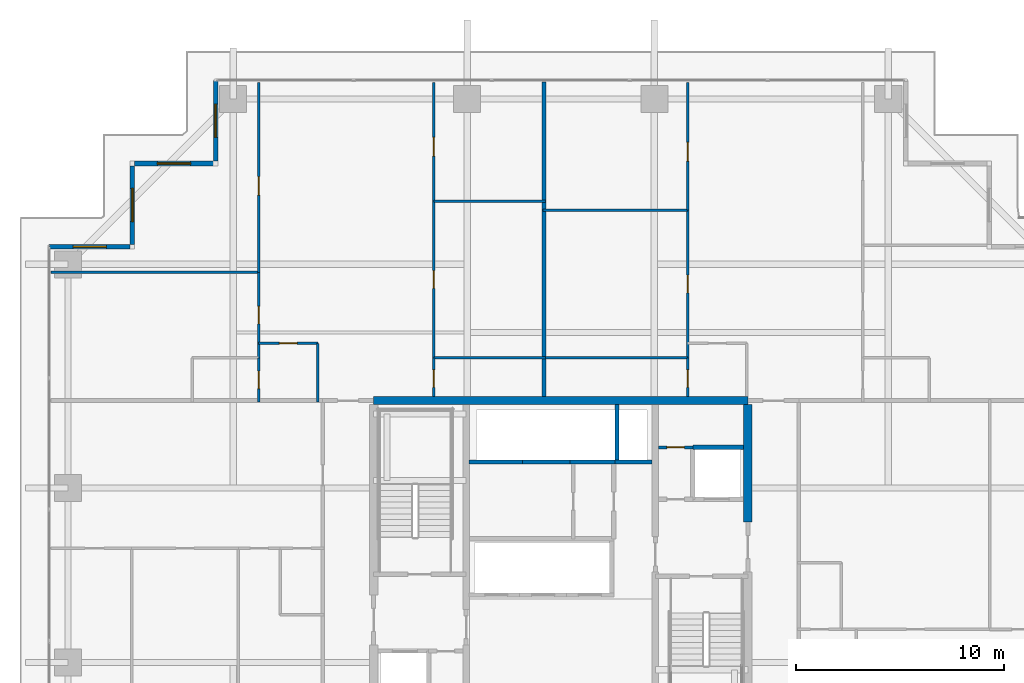
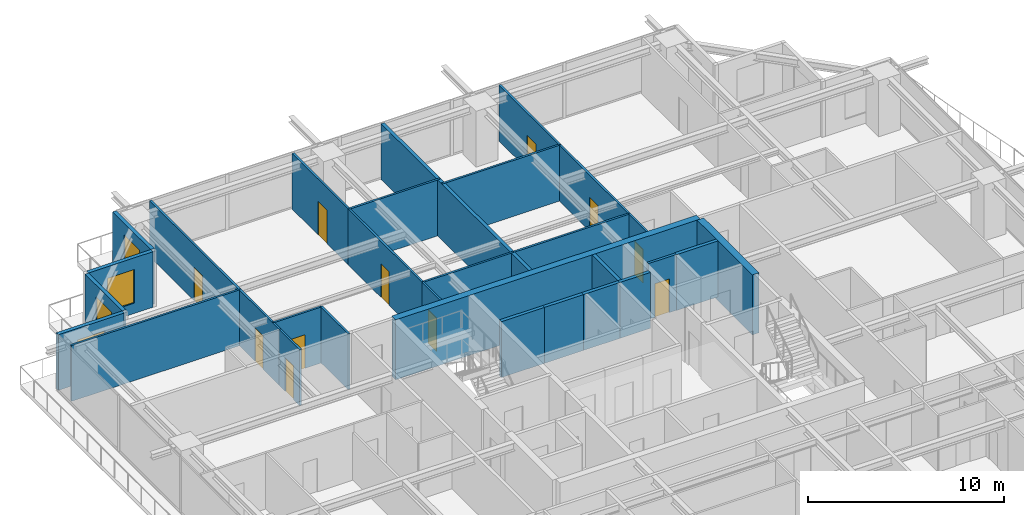
# One storey, part 30 of 37: 30 walls, 11 doors, 4 windows, 15 openings.
"""IFC4 building model written with IfcOpenShell, lengths in metres."""

from ifc_helpers import new_model, si_unit, direction, frame, frame_2d, origin, place, context, subcontext, project, spatial, rectangle, extrude, source, transform, mapped, material, layer, layer_set, type_object, element, fill, save


model = new_model("IFC4")

# Units and contexts
model_context = context("Model", 3, precision=1e-05, world=origin(), true_north=direction((0.0, 1.0)))
body_context = subcontext(model_context, "Body", "Model", "MODEL_VIEW")
ifc_project = project(units=[si_unit("LENGTHUNIT", "METRE"), si_unit("AREAUNIT", "SQUARE_METRE"), si_unit("VOLUMEUNIT", "CUBIC_METRE"), si_unit("PLANEANGLEUNIT", "RADIAN"), si_unit("MASSUNIT", "GRAM", prefix="KILO")], contexts=[model_context])

# Site, building, storey
site_placement = place(None, origin())
site = spatial("IfcSite", under=ifc_project, at=site_placement, CompositionType="ELEMENT")
building_placement = place(site_placement, origin())
building = spatial("IfcBuilding", under=site, at=building_placement, Name="Serunith Strait Residences", CompositionType="ELEMENT")
storey_placement = place(building_placement, frame((0.0, 0.0, 161.39990234375)))
storey = spatial("IfcBuildingStorey", under=building, at=storey_placement, Name="L40", CompositionType="ELEMENT", Elevation=161.39990234375)

# Wall, opening, window
ifc_material_1 = material(Name="Pale-Champagne Aluminium Insulated Panel", Category="aluminium")
ifc_layer_1 = layer(ifc_material_1, 0.219970703125, Name="Pale-Champagne Aluminium Insulated Panel")
ifc_layer_set_1 = layer_set([ifc_layer_1], Name="Pale-Champagne Aluminium Insulated Panel")
wall_type_1 = type_object("IfcWallType", Name="EW-ALUM-220", PredefinedType="ELEMENTEDWALL", material=ifc_layer_set_1)
wall_1_placement = place(storey_placement, frame((15.800048828125, 49.0, 0.0), z_axis=(0.0, 0.0, 1.0), x_axis=(0.0, -1.0, 0.0)))
wall_1 = element("IfcWall", 1, at=wall_1_placement, inside=storey, type_object=wall_type_1, Name="L40 Girih Serrated Corner Wall 12", PredefinedType="ELEMENTEDWALL", context=body_context, shape_type="SweptSolid", body=[
    extrude(rectangle(XDim=3.889892578125, YDim=0.219970703125, at=frame_2d((1.94482421875, 0.0))), origin(), (0.0, 0.0, 1.0), 3.47509765625),
])
opening_1_placement = place(wall_1_placement, frame((1.14501953125, 0.0, 0.64990234375)))
opening_1 = element("IfcOpeningElement", 2, at=opening_1_placement, cuts=wall_1, Name="Opening W-02", PredefinedType="OPENING", context=body_context, shape_type="SweptSolid", body=[
    extrude(rectangle(XDim=1.60009765625, YDim=2.10009765625, at=frame_2d((0.800048828125, 1.050048828125))), frame((0.0, 0.1201171875, 0.0), z_axis=(0.0, -1.0, 0.0), x_axis=(1.0, 0.0, 0.0)), (0.0, 0.0, 1.0), 0.239990234375),
])
ifc_material_2 = material(Name="Ceramic-Fritted Operable Aluminium Window Glass", Category="aluminium")
window_type = type_object("IfcWindowType", Name="WIN-C2", PartitioningType="DOUBLE_PANEL_VERTICAL", PredefinedType="WINDOW", material=ifc_material_2)
shared_shape_1 = source(origin(), body_context, "Body", "SweptSolid", [
    extrude(rectangle(XDim=1.60009765625, YDim=2.10009765625, at=frame_2d((0.800048828125, 1.050048828125))), frame((0.0, 0.030029296875, 0.0), z_axis=(0.0, -1.0, 0.0), x_axis=(1.0, 0.0, 0.0)), (0.0, 0.0, 1.0), 0.06005859375),
])
window_1_placement = place(opening_1_placement, origin())
window_1 = element("IfcWindow", 3, at=window_1_placement, inside=storey, type_object=window_type, Name="L40 Corner Operable Fritted Window 12", OverallHeight=2.10009765625, OverallWidth=1.60009765625, PartitioningType="SINGLE_PANEL", PredefinedType="WINDOW", context=body_context, shape_type="MappedRepresentation", body=[
    mapped(shared_shape_1, transform((0.0, 0.0, 0.0), scale=1.0)),
])
fill(opening_1, window_1)

wall_2_placement = place(storey_placement, frame((15.68994140625, 45.0, 0.0), z_axis=(0.0, 0.0, 1.0), x_axis=(-1.0, 0.0, 0.0)))
wall_2 = element("IfcWall", 4, at=wall_2_placement, inside=storey, type_object=wall_type_1, Name="L40 Girih Serrated Corner Wall 13", PredefinedType="ELEMENTEDWALL", context=body_context, shape_type="SweptSolid", body=[
    extrude(rectangle(XDim=3.780029296875, YDim=0.219970703125, at=frame_2d((1.89013671875, 0.0))), origin(), (0.0, 0.0, 1.0), 3.47509765625),
])
opening_2_placement = place(wall_2_placement, frame((1.090087890625, 0.0, 0.64990234375)))
opening_2 = element("IfcOpeningElement", 5, at=opening_2_placement, cuts=wall_2, Name="Opening W-02", PredefinedType="OPENING", context=body_context, shape_type="SweptSolid", body=[
    extrude(rectangle(XDim=1.60009765625, YDim=2.10009765625, at=frame_2d((0.800048828125, 1.050048828125))), frame((0.0, 0.1201171875, 0.0), z_axis=(0.0, -1.0, 0.0), x_axis=(1.0, 0.0, 0.0)), (0.0, 0.0, 1.0), 0.239990234375),
])
window_2_placement = place(opening_2_placement, origin())
window_2 = element("IfcWindow", 6, at=window_2_placement, inside=storey, type_object=window_type, Name="L40 Corner Operable Fritted Window 13", OverallHeight=2.10009765625, OverallWidth=1.60009765625, PartitioningType="SINGLE_PANEL", PredefinedType="WINDOW", context=body_context, shape_type="MappedRepresentation", body=[
    mapped(shared_shape_1, transform((0.0, 0.0, 0.0), scale=1.0)),
])
fill(opening_2, window_2)

wall_3_placement = place(storey_placement, frame((11.800048828125, 44.889892578125, 0.0), z_axis=(0.0, 0.0, 1.0), x_axis=(0.0, -1.0, 0.0)))
wall_3 = element("IfcWall", 7, at=wall_3_placement, inside=storey, type_object=wall_type_1, Name="L40 Girih Serrated Corner Wall 14", PredefinedType="ELEMENTEDWALL", context=body_context, shape_type="SweptSolid", body=[
    extrude(rectangle(XDim=3.77978515625, YDim=0.219970703125, at=frame_2d((1.889892578125, 0.0))), origin(), (0.0, 0.0, 1.0), 3.47509765625),
])
opening_3_placement = place(wall_3_placement, frame((1.090087890625, 0.0, 0.64990234375)))
opening_3 = element("IfcOpeningElement", 8, at=opening_3_placement, cuts=wall_3, Name="Opening W-02", PredefinedType="OPENING", context=body_context, shape_type="SweptSolid", body=[
    extrude(rectangle(XDim=1.60009765625, YDim=2.10009765625, at=frame_2d((0.800048828125, 1.050048828125))), frame((0.0, 0.1201171875, 0.0), z_axis=(0.0, -1.0, 0.0), x_axis=(1.0, 0.0, 0.0)), (0.0, 0.0, 1.0), 0.239990234375),
])
window_3_placement = place(opening_3_placement, origin())
window_3 = element("IfcWindow", 9, at=window_3_placement, inside=storey, type_object=window_type, Name="L40 Corner Operable Fritted Window 14", OverallHeight=2.10009765625, OverallWidth=1.60009765625, PartitioningType="SINGLE_PANEL", PredefinedType="WINDOW", context=body_context, shape_type="MappedRepresentation", body=[
    mapped(shared_shape_1, transform((0.0, 0.0, 0.0), scale=1.0)),
])
fill(opening_3, window_3)

wall_4_placement = place(storey_placement, frame((11.68994140625, 41.0, 0.0), z_axis=(0.0, 0.0, 1.0), x_axis=(-1.0, 0.0, 0.0)))
wall_4 = element("IfcWall", 10, at=wall_4_placement, inside=storey, type_object=wall_type_1, Name="L40 Girih Serrated Corner Wall 15", PredefinedType="ELEMENTEDWALL", context=body_context, shape_type="SweptSolid", body=[
    extrude(rectangle(XDim=3.889892578125, YDim=0.219970703125, at=frame_2d((1.94482421875, 0.0))), origin(), (0.0, 0.0, 1.0), 3.47509765625),
])
opening_4_placement = place(wall_4_placement, frame((1.14501953125, 0.0, 0.64990234375)))
opening_4 = element("IfcOpeningElement", 11, at=opening_4_placement, cuts=wall_4, Name="Opening W-02", PredefinedType="OPENING", context=body_context, shape_type="SweptSolid", body=[
    extrude(rectangle(XDim=1.60009765625, YDim=2.10009765625, at=frame_2d((0.800048828125, 1.050048828125))), frame((0.0, 0.1201171875, 0.0), z_axis=(0.0, -1.0, 0.0), x_axis=(1.0, 0.0, 0.0)), (0.0, 0.0, 1.0), 0.239990234375),
])
window_4_placement = place(opening_4_placement, origin())
window_4 = element("IfcWindow", 12, at=window_4_placement, inside=storey, type_object=window_type, Name="L40 Corner Operable Fritted Window 15", OverallHeight=2.10009765625, OverallWidth=1.60009765625, PartitioningType="SINGLE_PANEL", PredefinedType="WINDOW", context=body_context, shape_type="MappedRepresentation", body=[
    mapped(shared_shape_1, transform((0.0, 0.0, 0.0), scale=1.0)),
])
fill(opening_4, window_4)

# Wall, opening, door
ifc_material_3 = material(Name="Fire-rated masonry service closet wall", Category="masonry")
ifc_layer_2 = layer(ifc_material_3, 0.14990234375, Name="Fire-rated masonry service closet wall")
ifc_layer_set_2 = layer_set([ifc_layer_2], Name="Fire-rated masonry service closet wall")
wall_type_2 = type_object("IfcWallType", Name="IW-BOH-150", PredefinedType="PARTITIONING", material=ifc_layer_set_2)
wall_5_placement = place(storey_placement, frame((37.10009765625, 31.35009765625, 0.0), z_axis=(0.0, 0.0, 1.0), x_axis=(1.0, 0.0, 0.0)))
wall_5 = element("IfcWall", 13, at=wall_5_placement, inside=storey, type_object=wall_type_2, Name="L40 Partition Wall 012", PredefinedType="PARTITIONING", context=body_context, shape_type="SweptSolid", body=[
    extrude(rectangle(XDim=1.64794921875, YDim=0.14990234375, at=frame_2d((0.823974609375, 0.0))), origin(), (0.0, 0.0, 1.0), 3.489990234375),
])
opening_5_placement = place(wall_5_placement, frame((0.39892578125, 0.0, 0.0)))
opening_5 = element("IfcOpeningElement", 14, at=opening_5_placement, cuts=wall_5, Name="Opening FD-850", PredefinedType="OPENING", context=body_context, shape_type="SweptSolid", body=[
    extrude(rectangle(XDim=0.85009765625, YDim=2.10009765625, at=frame_2d((0.425048828125, 1.050048828125))), frame((0.0, 0.0849609375, 0.0), z_axis=(0.0, -1.0, 0.0), x_axis=(1.0, 0.0, 0.0)), (0.0, 0.0, 1.0), 0.169921875),
])
ifc_material_4 = material(Name="Powder-coated steel service closet door", Category="steel")
door_type_1 = type_object("IfcDoorType", Name="FD-BOH-850", OperationType="NOTDEFINED", PredefinedType="DOOR", material=ifc_material_4)
shared_shape_2 = source(origin(), body_context, "Body", "SweptSolid", [
    extrude(rectangle(XDim=0.85009765625, YDim=2.10009765625, at=frame_2d((0.425048828125, 1.050048828125))), frame((0.0, 0.02490234375, 0.0), z_axis=(0.0, -1.0, 0.0), x_axis=(1.0, 0.0, 0.0)), (0.0, 0.0, 1.0), 0.050048828125),
])
door_1_placement = place(opening_5_placement, origin())
door_1 = element("IfcDoor", 15, at=door_1_placement, inside=storey, type_object=door_type_1, Name="L40 Spare Parts Store Door", OperationType="SINGLE_SWING_LEFT", OverallHeight=2.10009765625, OverallWidth=0.85009765625, PredefinedType="DOOR", context=body_context, shape_type="MappedRepresentation", body=[
    mapped(shared_shape_2, transform((0.0, 0.0, 0.0), scale=1.0)),
])
fill(opening_5, door_1)

ifc_material_5 = material(Name="Lightweight steel-stud gypsum partition", Category="steel")
ifc_layer_3 = layer(ifc_material_5, 0.1201171875, Name="Lightweight steel-stud gypsum partition")
ifc_layer_set_3 = layer_set([ifc_layer_3], Name="Lightweight steel-stud gypsum partition")
wall_type_3 = type_object("IfcWallType", Name="IW-PART-120", PredefinedType="PARTITIONING", material=ifc_layer_set_3)
wall_6_placement = place(storey_placement, frame((17.8701171875, 36.35009765625, 0.0), z_axis=(0.0, 0.0, 1.0), x_axis=(1.0, 0.0, 0.0)))
wall_6 = element("IfcWall", 16, at=wall_6_placement, inside=storey, type_object=wall_type_3, Name="L40 Partition Wall 053", PredefinedType="PARTITIONING", context=body_context, shape_type="SweptSolid", body=[
    extrude(rectangle(XDim=2.849853515625, YDim=0.1201171875, at=frame_2d((1.4248046875, 0.0))), origin(), (0.0, 0.0, 1.0), 3.489990234375),
])
opening_6_placement = place(wall_6_placement, frame((1.0, 0.0, 0.0)))
opening_6 = element("IfcOpeningElement", 17, at=opening_6_placement, cuts=wall_6, Name="Opening D-RM850", PredefinedType="OPENING", context=body_context, shape_type="SweptSolid", body=[
    extrude(rectangle(XDim=0.85009765625, YDim=2.10009765625, at=frame_2d((0.425048828125, 1.050048828125))), frame((0.0, 0.070068359375, 0.0), z_axis=(0.0, -1.0, 0.0), x_axis=(1.0, 0.0, 0.0)), (0.0, 0.0, 1.0), 0.14013671875),
])
ifc_material_6 = material(Name="Engineered timber flush study and kitchen door", Category="wood")
door_type_2 = type_object("IfcDoorType", Name="ID-ROOM-850", OperationType="NOTDEFINED", PredefinedType="DOOR", material=ifc_material_6)
door_2_placement = place(opening_6_placement, origin())
door_2 = element("IfcDoor", 18, at=door_2_placement, inside=storey, type_object=door_type_2, Name="L40 Kitchen 4004 Door", OperationType="SINGLE_SWING_LEFT", OverallHeight=2.10009765625, OverallWidth=0.85009765625, PredefinedType="DOOR", context=body_context, shape_type="MappedRepresentation", body=[
    mapped(shared_shape_2, transform((0.0, 0.0, 0.0), scale=1.0)),
])
fill(opening_6, door_2)

# Wall
wall_7_placement = place(storey_placement, frame((20.719970703125, 36.35009765625, 0.0), z_axis=(0.0, 0.0, 1.0), x_axis=(0.0, -1.0, 0.0)))
element("IfcWall", 19, at=wall_7_placement, inside=storey, type_object=wall_type_3, Name="L40 Partition Wall 054", PredefinedType="PARTITIONING", context=body_context, shape_type="SweptSolid", body=[
    extrude(rectangle(XDim=2.81005859375, YDim=0.1201171875, at=frame_2d((1.405029296875, 0.0))), origin(), (0.0, 0.0, 1.0), 3.489990234375),
])

# Wall, opening, door
wall_8_placement = place(storey_placement, frame((17.8701171875, 48.905029296875, 0.0), z_axis=(0.0, 0.0, 1.0), x_axis=(0.0, -1.0, 0.0)))
wall_8 = element("IfcWall", 20, at=wall_8_placement, inside=storey, type_object=wall_type_3, Name="L40 Partition Wall 055", PredefinedType="PARTITIONING", context=body_context, shape_type="SweptSolid", body=[
    extrude(rectangle(XDim=9.14013671875, YDim=0.1201171875, at=frame_2d((4.570068359375, 0.0))), origin(), (0.0, 0.0, 1.0), 3.489990234375),
])
opening_7_placement = place(wall_8_placement, frame((4.531982421875, 0.0, 0.0)))
opening_7 = element("IfcOpeningElement", 21, at=opening_7_placement, cuts=wall_8, Name="Opening D-RM900", PredefinedType="OPENING", context=body_context, shape_type="SweptSolid", body=[
    extrude(rectangle(XDim=0.89990234375, YDim=2.10009765625, at=frame_2d((0.449951171875, 1.050048828125))), frame((0.0, 0.070068359375, 0.0), z_axis=(0.0, -1.0, 0.0), x_axis=(1.0, 0.0, 0.0)), (0.0, 0.0, 1.0), 0.14013671875),
])
ifc_material_7 = material(Name="Engineered timber flush bedroom door", Category="wood")
door_type_3 = type_object("IfcDoorType", Name="ID-ROOM-900", OperationType="NOTDEFINED", PredefinedType="DOOR", material=ifc_material_7)
shared_shape_3 = source(origin(), body_context, "Body", "SweptSolid", [
    extrude(rectangle(XDim=0.89990234375, YDim=2.10009765625, at=frame_2d((0.449951171875, 1.050048828125))), frame((0.0, 0.02490234375, 0.0), z_axis=(0.0, -1.0, 0.0), x_axis=(1.0, 0.0, 0.0)), (0.0, 0.0, 1.0), 0.050048828125),
])
door_3_placement = place(opening_7_placement, origin())
door_3 = element("IfcDoor", 22, at=door_3_placement, inside=storey, type_object=door_type_3, Name="L40 Master Bedroom 1 4004 Door", OperationType="SINGLE_SWING_RIGHT", OverallHeight=2.10009765625, OverallWidth=0.89990234375, PredefinedType="DOOR", context=body_context, shape_type="MappedRepresentation", body=[
    mapped(shared_shape_3, transform((0.0, 0.0, 0.0), scale=1.0)),
])
fill(opening_7, door_3)

# Wall
wall_9_placement = place(storey_placement, frame((7.89501953125, 39.764892578125, 0.0), z_axis=(0.0, 0.0, 1.0), x_axis=(1.0, 0.0, 0.0)))
element("IfcWall", 23, at=wall_9_placement, inside=storey, type_object=wall_type_3, Name="L40 Partition Wall 056", PredefinedType="PARTITIONING", context=body_context, shape_type="SweptSolid", body=[
    extrude(rectangle(XDim=9.97509765625, YDim=0.1201171875, at=frame_2d((4.987548828125, 0.0))), origin(), (0.0, 0.0, 1.0), 3.489990234375),
])

# Wall, opening, door
wall_10_placement = place(storey_placement, frame((17.8701171875, 39.762939453125, 0.0), z_axis=(0.0, 0.0, 1.0), x_axis=(0.0, -1.0, 0.0)))
wall_10 = element("IfcWall", 24, at=wall_10_placement, inside=storey, type_object=wall_type_3, Name="L40 Partition Wall 059", PredefinedType="PARTITIONING", context=body_context, shape_type="SweptSolid", body=[
    extrude(rectangle(XDim=4.113037109375, YDim=0.1201171875, at=frame_2d((2.056640625, 0.0))), origin(), (0.0, 0.0, 1.0), 3.489990234375),
])
opening_8_placement = place(wall_10_placement, frame((1.631103515625, 0.0, 0.0)))
opening_8 = element("IfcOpeningElement", 25, at=opening_8_placement, cuts=wall_10, Name="Opening D-RM850", PredefinedType="OPENING", context=body_context, shape_type="SweptSolid", body=[
    extrude(rectangle(XDim=0.85009765625, YDim=2.10009765625, at=frame_2d((0.425048828125, 1.050048828125))), frame((0.0, 0.070068359375, 0.0), z_axis=(0.0, -1.0, 0.0), x_axis=(1.0, 0.0, 0.0)), (0.0, 0.0, 1.0), 0.14013671875),
])
door_4_placement = place(opening_8_placement, origin())
door_4 = element("IfcDoor", 26, at=door_4_placement, inside=storey, type_object=door_type_2, Name="L40 Walk-in Wardrobe 4004 Door", OperationType="SINGLE_SWING_LEFT", OverallHeight=2.10009765625, OverallWidth=0.85009765625, PredefinedType="DOOR", context=body_context, shape_type="MappedRepresentation", body=[
    mapped(shared_shape_2, transform((0.0, 0.0, 0.0), scale=1.0)),
])
fill(opening_8, door_4)

wall_11_placement = place(storey_placement, frame((17.8701171875, 35.64794921875, 0.0), z_axis=(0.0, 0.0, 1.0), x_axis=(0.0, -1.0, 0.0)))
wall_11 = element("IfcWall", 27, at=wall_11_placement, inside=storey, type_object=wall_type_3, Name="L40 Partition Wall 060", PredefinedType="PARTITIONING", context=body_context, shape_type="SweptSolid", body=[
    extrude(rectangle(XDim=2.10791015625, YDim=0.1201171875, at=frame_2d((1.053955078125, 0.0))), origin(), (0.0, 0.0, 1.0), 3.489990234375),
])
opening_9_placement = place(wall_11_placement, frame((0.62890625, 0.0, 0.0)))
opening_9 = element("IfcOpeningElement", 28, at=opening_9_placement, cuts=wall_11, Name="Opening D-BTH850", PredefinedType="OPENING", context=body_context, shape_type="SweptSolid", body=[
    extrude(rectangle(XDim=0.85009765625, YDim=2.10009765625, at=frame_2d((0.425048828125, 1.050048828125))), frame((0.0, 0.070068359375, 0.0), z_axis=(0.0, -1.0, 0.0), x_axis=(1.0, 0.0, 0.0)), (0.0, 0.0, 1.0), 0.14013671875),
])
ifc_material_8 = material(Name="Moisture-resistant timber bathroom door", Category="wood")
door_type_4 = type_object("IfcDoorType", Name="ID-BATH-850", OperationType="NOTDEFINED", PredefinedType="DOOR", material=ifc_material_8)
door_5_placement = place(opening_9_placement, origin())
door_5 = element("IfcDoor", 29, at=door_5_placement, inside=storey, type_object=door_type_4, Name="L40 Bathroom 4004 Door", OperationType="SINGLE_SWING_RIGHT", OverallHeight=2.10009765625, OverallWidth=0.85009765625, PredefinedType="DOOR", context=body_context, shape_type="MappedRepresentation", body=[
    mapped(shared_shape_2, transform((0.0, 0.0, 0.0), scale=1.0)),
])
fill(opening_9, door_5)

wall_12_placement = place(storey_placement, frame((26.300048828125, 48.905029296875, 0.0), z_axis=(0.0, 0.0, 1.0), x_axis=(0.0, -1.0, 0.0)))
wall_12 = element("IfcWall", 30, at=wall_12_placement, inside=storey, type_object=wall_type_3, Name="L40 Partition Wall 061", PredefinedType="PARTITIONING", context=body_context, shape_type="SweptSolid", body=[
    extrude(rectangle(XDim=5.715087890625, YDim=0.1201171875, at=frame_2d((2.857421875, 0.0))), origin(), (0.0, 0.0, 1.0), 3.489990234375),
])
opening_10_placement = place(wall_12_placement, frame((2.64794921875, 0.0, 0.0)))
opening_10 = element("IfcOpeningElement", 31, at=opening_10_placement, cuts=wall_12, Name="Opening D-RM900", PredefinedType="OPENING", context=body_context, shape_type="SweptSolid", body=[
    extrude(rectangle(XDim=0.89990234375, YDim=2.10009765625, at=frame_2d((0.449951171875, 1.050048828125))), frame((0.0, 0.070068359375, 0.0), z_axis=(0.0, -1.0, 0.0), x_axis=(1.0, 0.0, 0.0)), (0.0, 0.0, 1.0), 0.14013671875),
])
door_6_placement = place(opening_10_placement, origin())
door_6 = element("IfcDoor", 32, at=door_6_placement, inside=storey, type_object=door_type_3, Name="L40 Bedroom 2 4004 Door", OperationType="SINGLE_SWING_LEFT", OverallHeight=2.10009765625, OverallWidth=0.89990234375, PredefinedType="DOOR", context=body_context, shape_type="MappedRepresentation", body=[
    mapped(shared_shape_3, transform((0.0, 0.0, 0.0), scale=1.0)),
])
fill(opening_10, door_6)

# Walls
for number, where, z_axis, x_axis, name in (
    (33, (26.300048828125, 43.18994140625, 0.0), (0.0, 0.0, 1.0), (1.0, 0.0, 0.0), "L40 Partition Wall 062"),
    (34, (26.300048828125, 35.64990234375, 0.0), (0.0, 0.0, 1.0), (1.0, 0.0, 0.0), "L40 Partition Wall 063"),
):
    element("IfcWall", number, at=place(storey_placement, frame(where, z_axis=z_axis, x_axis=x_axis)), inside=storey, type_object=wall_type_3, Name=name, PredefinedType="PARTITIONING", context=body_context, shape_type="SweptSolid", body=[
        extrude(rectangle(XDim=5.35986328125, YDim=0.1201171875, at=frame_2d((2.679931640625, 0.0))), origin(), (0.0, 0.0, 1.0), 3.489990234375),
    ])

# Wall, opening, door
wall_13_placement = place(storey_placement, frame((26.300048828125, 43.18798828125, 0.0), z_axis=(0.0, 0.0, 1.0), x_axis=(0.0, -1.0, 0.0)))
wall_13 = element("IfcWall", 35, at=wall_13_placement, inside=storey, type_object=wall_type_3, Name="L40 Partition Wall 064", PredefinedType="PARTITIONING", context=body_context, shape_type="SweptSolid", body=[
    extrude(rectangle(XDim=7.5380859375, YDim=0.1201171875, at=frame_2d((3.76904296875, 0.0))), origin(), (0.0, 0.0, 1.0), 3.489990234375),
])
opening_11_placement = place(wall_13_placement, frame((3.343994140625, 0.0, 0.0)))
opening_11 = element("IfcOpeningElement", 36, at=opening_11_placement, cuts=wall_13, Name="Opening D-RM850", PredefinedType="OPENING", context=body_context, shape_type="SweptSolid", body=[
    extrude(rectangle(XDim=0.85009765625, YDim=2.10009765625, at=frame_2d((0.425048828125, 1.050048828125))), frame((0.0, 0.070068359375, 0.0), z_axis=(0.0, -1.0, 0.0), x_axis=(1.0, 0.0, 0.0)), (0.0, 0.0, 1.0), 0.14013671875),
])
door_7_placement = place(opening_11_placement, origin())
door_7 = element("IfcDoor", 37, at=door_7_placement, inside=storey, type_object=door_type_2, Name="L40 Walk-in Wardrobe 4004 Door", OperationType="SINGLE_SWING_RIGHT", OverallHeight=2.10009765625, OverallWidth=0.85009765625, PredefinedType="DOOR", context=body_context, shape_type="MappedRepresentation", body=[
    mapped(shared_shape_2, transform((0.0, 0.0, 0.0), scale=1.0)),
])
fill(opening_11, door_7)

wall_14_placement = place(storey_placement, frame((26.300048828125, 35.64794921875, 0.0), z_axis=(0.0, 0.0, 1.0), x_axis=(0.0, -1.0, 0.0)))
wall_14 = element("IfcWall", 38, at=wall_14_placement, inside=storey, type_object=wall_type_3, Name="L40 Partition Wall 065", PredefinedType="PARTITIONING", context=body_context, shape_type="SweptSolid", body=[
    extrude(rectangle(XDim=1.847900390625, YDim=0.1201171875, at=frame_2d((0.923828125, 0.0))), origin(), (0.0, 0.0, 1.0), 3.489990234375),
])
opening_12_placement = place(wall_14_placement, frame((0.569091796875, 0.0, 0.0)))
opening_12 = element("IfcOpeningElement", 39, at=opening_12_placement, cuts=wall_14, Name="Opening D-BTH850", PredefinedType="OPENING", context=body_context, shape_type="SweptSolid", body=[
    extrude(rectangle(XDim=0.85009765625, YDim=2.10009765625, at=frame_2d((0.425048828125, 1.050048828125))), frame((0.0, 0.070068359375, 0.0), z_axis=(0.0, -1.0, 0.0), x_axis=(1.0, 0.0, 0.0)), (0.0, 0.0, 1.0), 0.14013671875),
])
door_8_placement = place(opening_12_placement, origin())
door_8 = element("IfcDoor", 40, at=door_8_placement, inside=storey, type_object=door_type_4, Name="L40 Bathroom 4004 Door", OperationType="SINGLE_SWING_LEFT", OverallHeight=2.10009765625, OverallWidth=0.85009765625, PredefinedType="DOOR", context=body_context, shape_type="MappedRepresentation", body=[
    mapped(shared_shape_2, transform((0.0, 0.0, 0.0), scale=1.0)),
])
fill(opening_12, door_8)

wall_15_placement = place(storey_placement, frame((38.5, 48.905029296875, 0.0), z_axis=(0.0, 0.0, 1.0), x_axis=(0.0, -1.0, 0.0)))
wall_15 = element("IfcWall", 41, at=wall_15_placement, inside=storey, type_object=wall_type_3, Name="L40 Partition Wall 068", PredefinedType="PARTITIONING", context=body_context, shape_type="SweptSolid", body=[
    extrude(rectangle(XDim=6.151123046875, YDim=0.1201171875, at=frame_2d((3.07568359375, 0.0))), origin(), (0.0, 0.0, 1.0), 3.489990234375),
])
opening_13_placement = place(wall_15_placement, frame((2.887939453125, 0.0, 0.0)))
opening_13 = element("IfcOpeningElement", 42, at=opening_13_placement, cuts=wall_15, Name="Opening D-RM900", PredefinedType="OPENING", context=body_context, shape_type="SweptSolid", body=[
    extrude(rectangle(XDim=0.89990234375, YDim=2.10009765625, at=frame_2d((0.449951171875, 1.050048828125))), frame((0.0, 0.070068359375, 0.0), z_axis=(0.0, -1.0, 0.0), x_axis=(1.0, 0.0, 0.0)), (0.0, 0.0, 1.0), 0.14013671875),
])
door_9_placement = place(opening_13_placement, origin())
door_9 = element("IfcDoor", 43, at=door_9_placement, inside=storey, type_object=door_type_3, Name="L40 Master Bedroom 1 4005 Door", OperationType="SINGLE_SWING_LEFT", OverallHeight=2.10009765625, OverallWidth=0.89990234375, PredefinedType="DOOR", context=body_context, shape_type="MappedRepresentation", body=[
    mapped(shared_shape_3, transform((0.0, 0.0, 0.0), scale=1.0)),
])
fill(opening_13, door_9)

# Walls
wall_16_placement = place(storey_placement, frame((31.5400390625, 42.75390625, 0.0), z_axis=(0.0, 0.0, 1.0), x_axis=(1.0, 0.0, 0.0)))
element("IfcWall", 44, at=wall_16_placement, inside=storey, type_object=wall_type_3, Name="L40 Partition Wall 069", PredefinedType="PARTITIONING", context=body_context, shape_type="SweptSolid", body=[
    extrude(rectangle(XDim=6.9599609375, YDim=0.1201171875, at=frame_2d((3.47998046875, 0.0))), origin(), (0.0, 0.0, 1.0), 3.489990234375),
])
wall_17_placement = place(storey_placement, frame((31.662109375, 35.64990234375, 0.0), z_axis=(0.0, 0.0, 1.0), x_axis=(1.0, 0.0, 0.0)))
element("IfcWall", 45, at=wall_17_placement, inside=storey, type_object=wall_type_3, Name="L40 Partition Wall 070", PredefinedType="PARTITIONING", context=body_context, shape_type="SweptSolid", body=[
    extrude(rectangle(XDim=6.837890625, YDim=0.1201171875, at=frame_2d((3.4189453125, 0.0))), origin(), (0.0, 0.0, 1.0), 3.489990234375),
])

# Wall, opening, door
wall_18_placement = place(storey_placement, frame((38.5, 42.751953125, 0.0), z_axis=(0.0, 0.0, 1.0), x_axis=(0.0, -1.0, 0.0)))
wall_18 = element("IfcWall", 46, at=wall_18_placement, inside=storey, type_object=wall_type_3, Name="L40 Partition Wall 071", PredefinedType="PARTITIONING", context=body_context, shape_type="SweptSolid", body=[
    extrude(rectangle(XDim=7.10205078125, YDim=0.1201171875, at=frame_2d((3.551025390625, 0.0))), origin(), (0.0, 0.0, 1.0), 3.489990234375),
])
opening_14_placement = place(wall_18_placement, frame((3.1259765625, 0.0, 0.0)))
opening_14 = element("IfcOpeningElement", 47, at=opening_14_placement, cuts=wall_18, Name="Opening D-RM850", PredefinedType="OPENING", context=body_context, shape_type="SweptSolid", body=[
    extrude(rectangle(XDim=0.85009765625, YDim=2.10009765625, at=frame_2d((0.425048828125, 1.050048828125))), frame((0.0, 0.070068359375, 0.0), z_axis=(0.0, -1.0, 0.0), x_axis=(1.0, 0.0, 0.0)), (0.0, 0.0, 1.0), 0.14013671875),
])
door_10_placement = place(opening_14_placement, origin())
door_10 = element("IfcDoor", 48, at=door_10_placement, inside=storey, type_object=door_type_2, Name="L40 Walk-in Wardrobe 4005 Door", OperationType="SINGLE_SWING_RIGHT", OverallHeight=2.10009765625, OverallWidth=0.85009765625, PredefinedType="DOOR", context=body_context, shape_type="MappedRepresentation", body=[
    mapped(shared_shape_2, transform((0.0, 0.0, 0.0), scale=1.0)),
])
fill(opening_14, door_10)

wall_19_placement = place(storey_placement, frame((38.5, 35.64794921875, 0.0), z_axis=(0.0, 0.0, 1.0), x_axis=(0.0, -1.0, 0.0)))
wall_19 = element("IfcWall", 49, at=wall_19_placement, inside=storey, type_object=wall_type_3, Name="L40 Partition Wall 072", PredefinedType="PARTITIONING", context=body_context, shape_type="SweptSolid", body=[
    extrude(rectangle(XDim=1.847900390625, YDim=0.1201171875, at=frame_2d((0.923828125, 0.0))), origin(), (0.0, 0.0, 1.0), 3.489990234375),
])
opening_15_placement = place(wall_19_placement, frame((0.569091796875, 0.0, 0.0)))
opening_15 = element("IfcOpeningElement", 50, at=opening_15_placement, cuts=wall_19, Name="Opening D-BTH850", PredefinedType="OPENING", context=body_context, shape_type="SweptSolid", body=[
    extrude(rectangle(XDim=0.85009765625, YDim=2.10009765625, at=frame_2d((0.425048828125, 1.050048828125))), frame((0.0, 0.070068359375, 0.0), z_axis=(0.0, -1.0, 0.0), x_axis=(1.0, 0.0, 0.0)), (0.0, 0.0, 1.0), 0.14013671875),
])
door_11_placement = place(opening_15_placement, origin())
door_11 = element("IfcDoor", 51, at=door_11_placement, inside=storey, type_object=door_type_4, Name="L40 Bathroom 4005 Door", OperationType="SINGLE_SWING_LEFT", OverallHeight=2.10009765625, OverallWidth=0.85009765625, PredefinedType="DOOR", context=body_context, shape_type="MappedRepresentation", body=[
    mapped(shared_shape_2, transform((0.0, 0.0, 0.0), scale=1.0)),
])
fill(opening_15, door_11)

# Walls
ifc_material_9 = material(Name="Twin-stud acoustic gypsum board partition")
ifc_layer_4 = layer(ifc_material_9, 0.199951171875, Name="Twin-stud acoustic gypsum board partition")
ifc_layer_set_4 = layer_set([ifc_layer_4], Name="Twin-stud acoustic gypsum board partition")
wall_type_4 = type_object("IfcWallType", Name="IW-PARTY-200", PredefinedType="PARTITIONING", material=ifc_layer_set_4)
wall_20_placement = place(storey_placement, frame((31.60009765625, 33.800048828125, 0.0), z_axis=(0.0, 0.0, 1.0), x_axis=(0.0, 1.0, 0.0)))
element("IfcWall", 52, at=wall_20_placement, inside=storey, type_object=wall_type_4, Name="L40 Partition Wall 020", PredefinedType="PARTITIONING", context=body_context, shape_type="SweptSolid", body=[
    extrude(rectangle(XDim=15.117919921875, YDim=0.199951171875, at=frame_2d((7.55908203125, 0.0))), origin(), (0.0, 0.0, 1.0), 3.489990234375),
])
ifc_material_10 = material(Name="Autoclaved aerated concrete blockwork", Category="masonry")
ifc_layer_5 = layer(ifc_material_10, 0.199951171875, Name="Autoclaved aerated concrete blockwork")
ifc_layer_set_5 = layer_set([ifc_layer_5], Name="Autoclaved aerated concrete blockwork")
wall_type_5 = type_object("IfcWallType", Name="IW-SHAFT-200", PredefinedType="STANDARD", material=ifc_layer_set_5)
wall_21_placement = place(storey_placement, frame((28.0, 30.64990234375, 0.0), z_axis=(0.0, 0.0, 1.0), x_axis=(1.0, 0.0, 0.0)))
element("IfcWall", 53, at=wall_21_placement, inside=storey, type_object=wall_type_5, Name="L40 PL-7 South Shaft Wall", PredefinedType="STANDARD", context=body_context, shape_type="SweptSolid", body=[
    extrude(rectangle(XDim=2.550048828125, YDim=0.199951171875, at=frame_2d((1.27490234375, 0.0))), origin(), (0.0, 0.0, 1.0), 3.489990234375),
])
wall_22_placement = place(storey_placement, frame((30.550048828125, 30.64990234375, 0.0), z_axis=(0.0, 0.0, 1.0), x_axis=(1.0, 0.0, 0.0)))
element("IfcWall", 54, at=wall_22_placement, inside=storey, type_object=wall_type_5, Name="L40 PL-8 South Shaft Wall", PredefinedType="STANDARD", context=body_context, shape_type="SweptSolid", body=[
    extrude(rectangle(XDim=2.300048828125, YDim=0.199951171875, at=frame_2d((1.14990234375, 0.0))), origin(), (0.0, 0.0, 1.0), 3.489990234375),
])
wall_23_placement = place(storey_placement, frame((32.85009765625, 30.64990234375, 0.0), z_axis=(0.0, 0.0, 1.0), x_axis=(1.0, 0.0, 0.0)))
element("IfcWall", 55, at=wall_23_placement, inside=storey, type_object=wall_type_5, Name="L40 PL-9 South Shaft Wall", PredefinedType="STANDARD", context=body_context, shape_type="SweptSolid", body=[
    extrude(rectangle(XDim=2.14990234375, YDim=0.199951171875, at=frame_2d((1.074951171875, 0.0))), origin(), (0.0, 0.0, 1.0), 3.489990234375),
])
wall_24_placement = place(storey_placement, frame((35.0, 30.64990234375, 0.0), z_axis=(0.0, 0.0, 1.0), x_axis=(1.0, 0.0, 0.0)))
element("IfcWall", 56, at=wall_24_placement, inside=storey, type_object=wall_type_5, Name="L40 SL-1 South Shaft Wall", PredefinedType="STANDARD", context=body_context, shape_type="SweptSolid", body=[
    extrude(rectangle(XDim=1.800048828125, YDim=0.199951171875, at=frame_2d((0.89990234375, 0.0))), origin(), (0.0, 0.0, 1.0), 3.489990234375),
])
wall_25_placement = place(storey_placement, frame((35.10009765625, 30.75, 0.0), z_axis=(0.0, 0.0, 1.0), x_axis=(0.0, 1.0, 0.0)))
element("IfcWall", 57, at=wall_25_placement, inside=storey, type_object=wall_type_5, Name="L40 SL-1 West Shaft Wall", PredefinedType="STANDARD", context=body_context, shape_type="SweptSolid", body=[
    extrude(rectangle(XDim=2.64990234375, YDim=0.199951171875, at=frame_2d((1.324951171875, 0.0))), origin(), (0.0, 0.0, 1.0), 3.489990234375),
])
wall_26_placement = place(storey_placement, frame((38.75, 31.35009765625, 0.0), z_axis=(0.0, 0.0, 1.0), x_axis=(1.0, 0.0, 0.0)))
element("IfcWall", 58, at=wall_26_placement, inside=storey, type_object=wall_type_5, Name="L40 Partition Wall 005", PredefinedType="STANDARD", context=body_context, shape_type="SweptSolid", body=[
    extrude(rectangle(XDim=2.449951171875, YDim=0.199951171875, at=frame_2d((1.22509765625, 0.0))), origin(), (0.0, 0.0, 1.0), 3.489990234375),
])
ifc_material_11 = material(Name="Concrete C70/85", Category="concrete")
ifc_layer_6 = layer(ifc_material_11, 0.39990234375, Name="Concrete C70/85")
ifc_layer_set_6 = layer_set([ifc_layer_6], Name="Concrete C70/85")
wall_type_6 = type_object("IfcWallType", Name="SW-400-C70", PredefinedType="SHEAR", material=ifc_layer_set_6)
wall_27_placement = place(storey_placement, frame((41.39990234375, 33.60009765625, -0.260009765625), z_axis=(0.0, 0.0, 1.0), x_axis=(-1.0, 0.0, 0.0)))
element("IfcWall", 59, at=wall_27_placement, inside=storey, type_object=wall_type_6, Name="L40 Core North Shear Wall", PredefinedType="SHEAR", context=body_context, shape_type="SweptSolid", body=[
    extrude(rectangle(XDim=18.0, YDim=0.39990234375, at=frame_2d((9.0, 0.0))), origin(), (0.0, 0.0, 1.0), 3.748046875),
])
wall_28_placement = place(storey_placement, frame((41.39990234375, 27.75, -0.260009765625), z_axis=(0.0, 0.0, 1.0), x_axis=(0.0, 1.0, 0.0)))
element("IfcWall", 60, at=wall_28_placement, inside=storey, type_object=wall_type_6, Name="L40 Core East Shear Wall North Pier", PredefinedType="SHEAR", context=body_context, shape_type="SweptSolid", body=[
    extrude(rectangle(XDim=5.64990234375, YDim=0.39990234375, at=frame_2d((2.824951171875, 0.0))), origin(), (0.0, 0.0, 1.0), 3.748046875),
])

save(model, "model.ifc")
